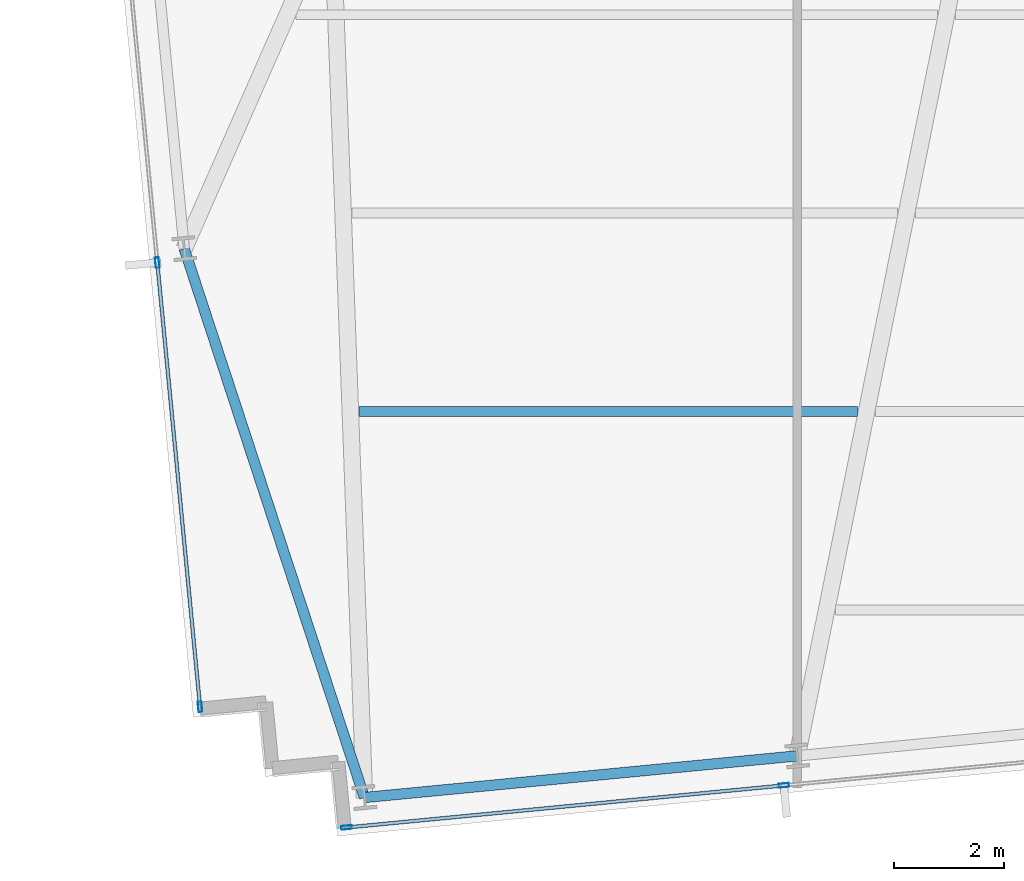
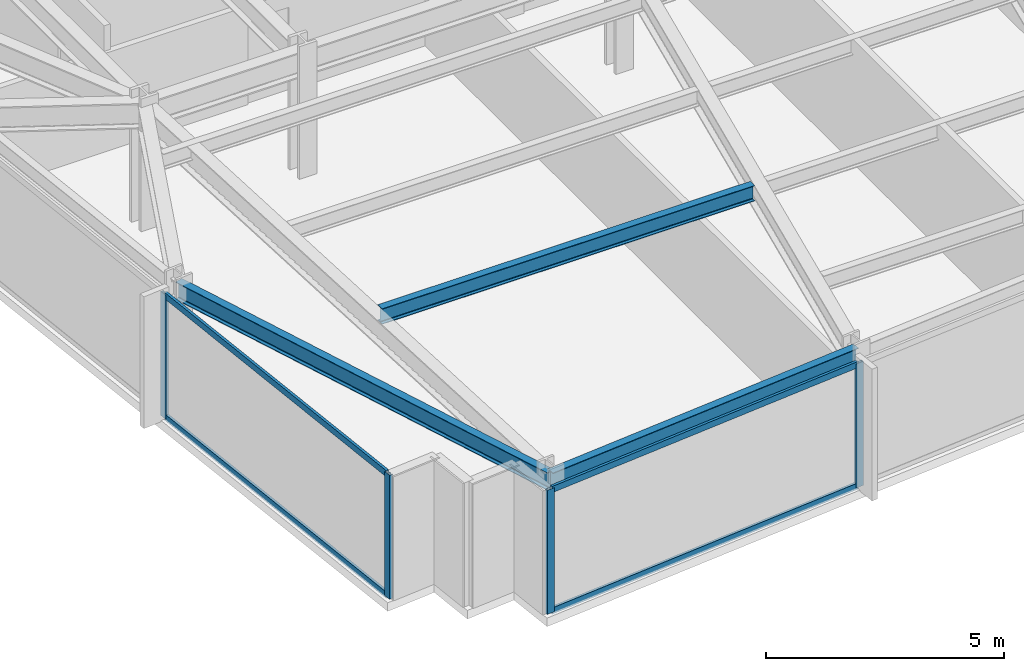
# One storey, part 2 of 32: 8 members, 3 beams, 2 elements without a shape of their own.
"""IFC4 building model written with IfcOpenShell, lengths in metres."""

from ifc_helpers import new_model, si_unit, direction, frame, origin, origin_2d, place, context, subcontext, project, spatial, hollow_rectangle, i_section, extrude, material, material_profile, profile_set, type_object, element, aggregate, save


model = new_model("IFC4")

# Units and contexts
model_context = context("Model", 3, precision=1e-05, world=origin(), true_north=direction((0.0, 1.0)))
body_context = subcontext(model_context, "Body", "Model", "MODEL_VIEW")
ifc_project = project(units=[si_unit("LENGTHUNIT", "METRE"), si_unit("AREAUNIT", "SQUARE_METRE"), si_unit("VOLUMEUNIT", "CUBIC_METRE"), si_unit("PLANEANGLEUNIT", "RADIAN"), si_unit("MASSUNIT", "GRAM", prefix="KILO")], contexts=[model_context])

# Site, building, storey
site_placement = place(None, origin())
site = spatial("IfcSite", under=ifc_project, at=site_placement, CompositionType="ELEMENT")
building_placement = place(site_placement, origin())
building = spatial("IfcBuilding", under=site, at=building_placement, Name="Yelkora Congress Tower", CompositionType="ELEMENT")
storey_placement = place(building_placement, frame((0.0, 0.0, 130.5)))
storey = spatial("IfcBuildingStorey", under=building, at=storey_placement, Name="L35", CompositionType="ELEMENT", Elevation=130.5)

# Beams
ifc_material_1 = material(Name="Steel S355J2", Category="steel")
ifc_material_profile_1 = material_profile(ifc_material_1, i_section(OverallWidth=0.179931640625, OverallDepth=0.39990234375, WebThickness=0.008544921875, FlangeThickness=0.013427734375, FilletRadius=0.02099609375, at=origin_2d()), Name="IPE 400")
ifc_profile_set_1 = profile_set([ifc_material_profile_1], Name="Steel S355J2")
beam_type_1 = type_object("IfcBeamType", Name="BM-JOIST-IPE400", PredefinedType="JOIST", material=ifc_profile_set_1)
beam_1_placement = place(storey_placement, frame((19.6904296875, 16.144287109375, 2.97998046875), z_axis=(1.0, 0.0, 0.0), x_axis=(0.0, 1.0, 0.0)))
element("IfcBeam", 1, at=beam_1_placement, inside=storey, type_object=beam_type_1, Name="L35 Composite Floor Joist 4", PredefinedType="JOIST", context=body_context, shape_type="SweptSolid", body=[
    extrude(i_section(OverallWidth=0.179931640625, OverallDepth=0.39990234375, WebThickness=0.008544921875, FlangeThickness=0.013427734375, FilletRadius=0.02099609375, at=origin_2d()), origin(), (0.0, 0.0, 1.0), 9.0439453125),
])
ifc_material_profile_2 = material_profile(ifc_material_1, i_section(OverallWidth=0.18994140625, OverallDepth=0.449951171875, WebThickness=0.009521484375, FlangeThickness=0.0146484375, FilletRadius=0.02099609375, at=origin_2d()), Name="IPE 450")
ifc_profile_set_2 = profile_set([ifc_material_profile_2], Name="Steel S355J2")
beam_type_2 = type_object("IfcBeamType", Name="BM-SPAN-IPE450", PredefinedType="SPANDREL", material=ifc_profile_set_2)
beam_2_placement = place(storey_placement, frame((16.5166015625, 19.101806640625, 2.955078125), z_axis=(0.311940628701, -0.95010159676, 0.0), x_axis=(0.95010159676, 0.311940628701, 0.0)))
element("IfcBeam", 2, at=beam_2_placement, inside=storey, type_object=beam_type_2, Name="L35 Perimeter Beam 2", PredefinedType="SPANDREL", context=body_context, shape_type="SweptSolid", body=[
    extrude(i_section(OverallWidth=0.18994140625, OverallDepth=0.449951171875, WebThickness=0.009521484375, FlangeThickness=0.0146484375, FilletRadius=0.02099609375, at=origin_2d()), origin(), (0.0, 0.0, 1.0), 10.48046875),
])
beam_3_placement = place(storey_placement, frame((19.785888671875, 9.144287109375, 2.955078125), z_axis=(0.995395860104, 0.095849265454, 0.0), x_axis=(-0.095849265454, 0.995395860104, 0.0)))
element("IfcBeam", 3, at=beam_3_placement, inside=storey, type_object=beam_type_2, Name="L35 Perimeter Beam 3", PredefinedType="SPANDREL", context=body_context, shape_type="SweptSolid", body=[
    extrude(i_section(OverallWidth=0.18994140625, OverallDepth=0.449951171875, WebThickness=0.009521484375, FlangeThickness=0.0146484375, FilletRadius=0.02099609375, at=origin_2d()), origin(), (0.0, 0.0, 1.0), 7.885986328125),
])

# Curtain wall, members
ifc_material_2 = material(Name="Anodised aluminium and insulated glass", Category="aluminium")
curtain_wall_type = type_object("IfcCurtainWallType", Name="CW-SYS-B2", PredefinedType="NOTDEFINED", material=ifc_material_2)
curtain_wall_1_placement = place(storey_placement, origin())
curtain_wall_1 = element("IfcCurtainWall", 4, at=curtain_wall_1_placement, inside=storey, type_object=curtain_wall_type, Name="L35 Unitised Curtain Wall 5", PredefinedType="NOTDEFINED")
ifc_material_3 = material(Name="Anodised aluminium 6063-T6", Category="aluminium")
ifc_material_profile_3 = material_profile(ifc_material_3, hollow_rectangle(XDim=0.070068359375, YDim=0.18994140625, WallThickness=0.00390625, at=origin_2d()), Name="ALU 70x190x4")
ifc_profile_set_3 = profile_set([ifc_material_profile_3], Name="Anodised aluminium 6063-T6")
member_type_1 = type_object("IfcMemberType", Name="MEM-ML-B2", PredefinedType="MULLION", material=ifc_profile_set_3)
member_1_placement = place(storey_placement, frame((16.804443359375, 10.791259765625, 0.0), z_axis=(0.0, 0.0, 1.0), x_axis=(-0.995396507508, -0.095842541913, 0.0)))
member_1 = element("IfcMember", 5, at=member_1_placement, type_object=member_type_1, Name="CW-B2 mullion 1", PredefinedType="MULLION", context=body_context, shape_type="SweptSolid", body=[
    extrude(hollow_rectangle(XDim=0.070068359375, YDim=0.18994140625, WallThickness=0.00390625, at=origin_2d()), origin(), (0.0, 0.0, 1.0), 3.179931640625),
])
member_2_placement = place(storey_placement, frame((16.028564453125, 18.848876953125, 0.0), z_axis=(0.0, 0.0, 1.0), x_axis=(-0.995396507508, -0.095842541913, 0.0)))
member_2 = element("IfcMember", 6, at=member_2_placement, type_object=member_type_1, Name="CW-B2 mullion 2", PredefinedType="MULLION", context=body_context, shape_type="SweptSolid", body=[
    extrude(hollow_rectangle(XDim=0.070068359375, YDim=0.18994140625, WallThickness=0.00390625, at=origin_2d()), origin(), (0.0, 0.0, 1.0), 3.179931640625),
])

curtain_wall_2_placement = place(storey_placement, origin())
curtain_wall_2 = element("IfcCurtainWall", 7, at=curtain_wall_2_placement, inside=storey, type_object=curtain_wall_type, Name="L35 Unitised Curtain Wall 20", PredefinedType="NOTDEFINED")
member_3_placement = place(storey_placement, frame((27.392822265625, 9.364501953125, 0.0), z_axis=(0.0, 0.0, 1.0), x_axis=(0.095844345816, -0.995396333816, 0.0)))
member_3 = element("IfcMember", 8, at=member_3_placement, type_object=member_type_1, Name="CW-B2 mullion 7", PredefinedType="MULLION", context=body_context, shape_type="SweptSolid", body=[
    extrude(hollow_rectangle(XDim=0.070068359375, YDim=0.18994140625, WallThickness=0.00390625, at=origin_2d()), origin(), (0.0, 0.0, 1.0), 3.179931640625),
])
member_4_placement = place(storey_placement, frame((19.46142578125, 8.600830078125, 0.0), z_axis=(0.0, 0.0, 1.0), x_axis=(0.095844345816, -0.995396333816, 0.0)))
member_4 = element("IfcMember", 9, at=member_4_placement, type_object=member_type_1, Name="CW-B2 mullion 8", PredefinedType="MULLION", context=body_context, shape_type="SweptSolid", body=[
    extrude(hollow_rectangle(XDim=0.070068359375, YDim=0.18994140625, WallThickness=0.00390625, at=origin_2d()), origin(), (0.0, 0.0, 1.0), 3.179931640625),
])

# Member
ifc_material_profile_4 = material_profile(ifc_material_3, hollow_rectangle(XDim=0.06494140625, YDim=0.159912109375, WallThickness=0.00390625, at=origin_2d()), Name="ALU 65x160x4")
ifc_profile_set_4 = profile_set([ifc_material_profile_4], Name="Anodised aluminium 6063-T6")
member_type_2 = type_object("IfcMemberType", Name="MEM-TR-B2", PredefinedType="USERDEFINED", material=ifc_profile_set_4)
member_5_placement = place(storey_placement, frame((16.801025390625, 10.826171875, 0.032470703125), z_axis=(-0.095861385662, 0.995394692943, 0.0), x_axis=(-0.995394692943, -0.095861385662, 0.0)))
member_5 = element("IfcMember", 10, at=member_5_placement, type_object=member_type_2, Name="CW-B2 transom 1.1", ObjectType="TRANSOM", PredefinedType="USERDEFINED", context=body_context, shape_type="SweptSolid", body=[
    extrude(hollow_rectangle(XDim=0.06494140625, YDim=0.159912109375, WallThickness=0.00390625, at=origin_2d()), origin(), (0.0, 0.0, 1.0), 8.02490234375),
])

member_6_placement = place(storey_placement, frame((16.801025390625, 10.826171875, 3.1474609375), z_axis=(-0.095861385662, 0.995394692943, 0.0), x_axis=(-0.995394692943, -0.095861385662, 0.0)))
member_6 = element("IfcMember", 11, at=member_6_placement, type_object=member_type_2, Name="CW-B2 transom 1.2", ObjectType="TRANSOM", PredefinedType="USERDEFINED", context=body_context, shape_type="SweptSolid", body=[
    extrude(hollow_rectangle(XDim=0.06494140625, YDim=0.159912109375, WallThickness=0.00390625, at=origin_2d()), origin(), (0.0, 0.0, 1.0), 8.02490234375),
])

aggregate(curtain_wall_1, [member_1, member_2, member_5, member_6])

member_7_placement = place(storey_placement, frame((27.35791015625, 9.361083984375, 0.032470703125), z_axis=(-0.995397978421, -0.095827264157, 0.0), x_axis=(0.095827264157, -0.995397978421, 0.0)))
member_7 = element("IfcMember", 12, at=member_7_placement, type_object=member_type_2, Name="CW-B2 transom 7.1", ObjectType="TRANSOM", PredefinedType="USERDEFINED", context=body_context, shape_type="SweptSolid", body=[
    extrude(hollow_rectangle(XDim=0.06494140625, YDim=0.159912109375, WallThickness=0.00390625, at=origin_2d()), origin(), (0.0, 0.0, 1.0), 7.89794921875),
])

member_8_placement = place(storey_placement, frame((27.35791015625, 9.361083984375, 3.1474609375), z_axis=(-0.995397978421, -0.095827264157, 0.0), x_axis=(0.095827264157, -0.995397978421, 0.0)))
member_8 = element("IfcMember", 13, at=member_8_placement, type_object=member_type_2, Name="CW-B2 transom 7.2", ObjectType="TRANSOM", PredefinedType="USERDEFINED", context=body_context, shape_type="SweptSolid", body=[
    extrude(hollow_rectangle(XDim=0.06494140625, YDim=0.159912109375, WallThickness=0.00390625, at=origin_2d()), origin(), (0.0, 0.0, 1.0), 7.89794921875),
])

aggregate(curtain_wall_2, [member_3, member_4, member_7, member_8])

save(model, "model.ifc")
